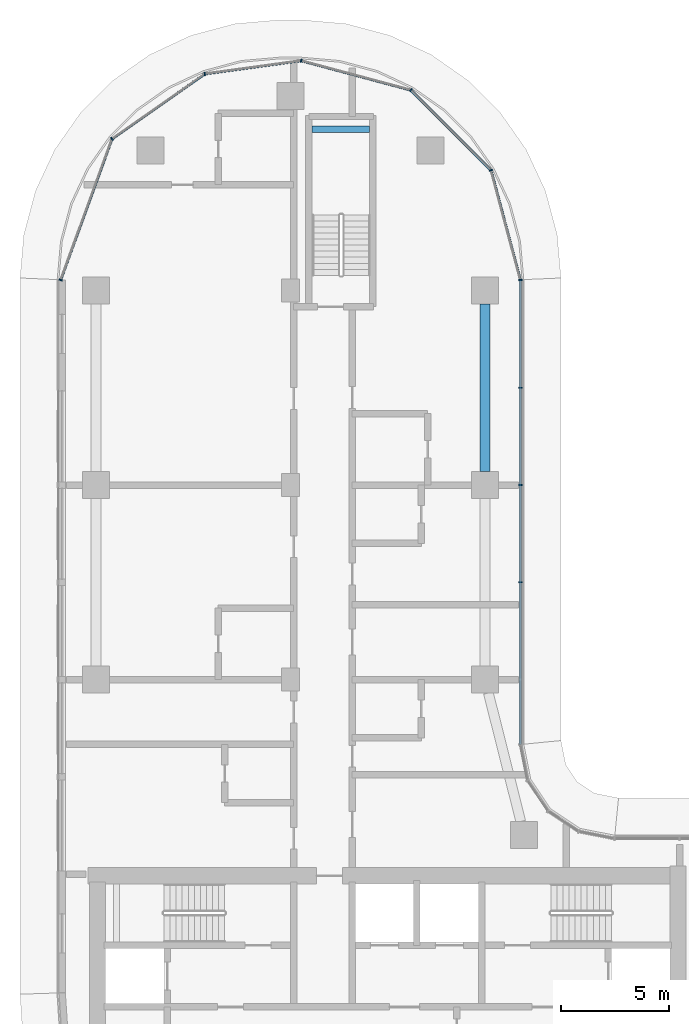
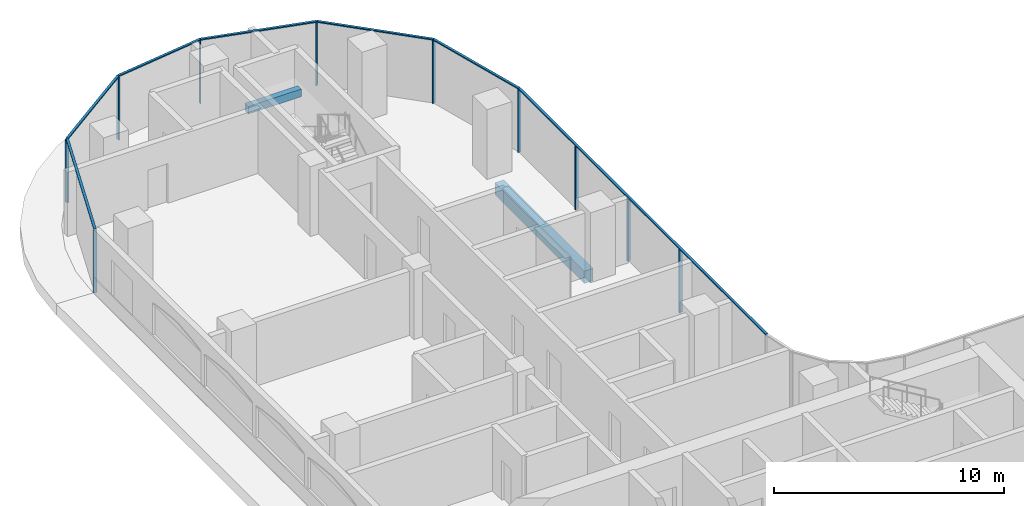
# One storey, part 6 of 25: 17 members, 2 beams, 2 elements without a shape of their own.
"""IFC4 building model written with IfcOpenShell, lengths in metres."""

from ifc_helpers import new_model, si_unit, direction, frame, origin, origin_2d, place, context, subcontext, project, spatial, rectangle, extrude, material, material_profile, profile_set, type_object, element, aggregate, save


model = new_model("IFC4")

# Units and contexts
model_context = context("Model", 3, precision=1e-05, world=origin(), true_north=direction((0.0, 1.0)))
body_context = subcontext(model_context, "Body", "Model", "MODEL_VIEW")
ifc_project = project(units=[si_unit("LENGTHUNIT", "METRE"), si_unit("AREAUNIT", "SQUARE_METRE"), si_unit("VOLUMEUNIT", "CUBIC_METRE"), si_unit("PLANEANGLEUNIT", "RADIAN"), si_unit("MASSUNIT", "GRAM", prefix="KILO")], contexts=[model_context])

# Site, building, storey
site_placement = place(None, origin())
site = spatial("IfcSite", under=ifc_project, at=site_placement, CompositionType="ELEMENT")
building_placement = place(site_placement, origin())
building = spatial("IfcBuilding", under=site, at=building_placement, Name="Ogive Portal Towers", CompositionType="ELEMENT")
storey_placement = place(building_placement, frame((0.0, 0.0, 124.10009765625)))
storey = spatial("IfcBuildingStorey", under=building, at=storey_placement, Name="L30", CompositionType="ELEMENT", Elevation=124.10009765625)

# Beam
ifc_material_1 = material(Name="Concrete C40/50", Category="concrete")
ifc_material_profile_1 = material_profile(ifc_material_1, rectangle(XDim=0.300048828125, YDim=0.39990234375, at=origin_2d()), Name="RC 300x400")
ifc_profile_set_1 = profile_set([ifc_material_profile_1], Name="Concrete C40/50")
beam_type_1 = type_object("IfcBeamType", Name="BEAM RC 300x400", PredefinedType="BEAM", material=ifc_profile_set_1)
beam_1_placement = place(storey_placement, frame((41.5, 73.949951171875, 1.449951171875), z_axis=(1.0, 0.0, 0.0), x_axis=(0.0, 1.0, 0.0)))
element("IfcBeam", 1, at=beam_1_placement, inside=storey, type_object=beam_type_1, Name="Landing beam L30", PredefinedType="BEAM", context=body_context, shape_type="SweptSolid", body=[
    extrude(rectangle(XDim=0.300048828125, YDim=0.39990234375, at=origin_2d()), origin(), (0.0, 0.0, 1.0), 2.64990234375),
])

# Curtain wall, members
ifc_material_2 = material(Name="Glass, clear low-iron insulated glazing", Category="glass")
curtain_wall_type = type_object("IfcCurtainWallType", Name="CW FRONT RIBBON 4500", PredefinedType="NOTDEFINED", material=ifc_material_2)
curtain_wall_1_placement = place(storey_placement, origin())
curtain_wall_1 = element("IfcCurtainWall", 2, at=curtain_wall_1_placement, inside=storey, type_object=curtain_wall_type, Name="A:L30:f18:cw0", PredefinedType="NOTDEFINED")
ifc_material_3 = material(Name="Aluminium 6063 anodised", Category="aluminium")
ifc_material_profile_2 = material_profile(ifc_material_3, rectangle(XDim=0.159912109375, YDim=0.06005859375, at=origin_2d()), Name="AL 60x160")
ifc_profile_set_2 = profile_set([ifc_material_profile_2], Name="Aluminium 6063 anodised")
member_type_1 = type_object("IfcMemberType", Name="CW MULLION 60x160", PredefinedType="MULLION", material=ifc_profile_set_2)
member_1_placement = place(storey_placement, frame((51.135009765625, 53.0, 0.0), z_axis=(0.0, 0.0, 1.0), x_axis=(-1.0, 0.0, 0.0)))
member_1 = element("IfcMember", 3, at=member_1_placement, type_object=member_type_1, Name="mullion", PredefinedType="MULLION", context=body_context, shape_type="SweptSolid", body=[
    extrude(rectangle(XDim=0.159912109375, YDim=0.06005859375, at=origin_2d()), origin(), (0.0, 0.0, 1.0), 3.33984375),
])
member_2_placement = place(storey_placement, frame((51.135009765625, 57.5, 0.0), z_axis=(0.0, 0.0, 1.0), x_axis=(-1.0, 0.0, 0.0)))
member_2 = element("IfcMember", 4, at=member_2_placement, type_object=member_type_1, Name="mullion", PredefinedType="MULLION", context=body_context, shape_type="SweptSolid", body=[
    extrude(rectangle(XDim=0.159912109375, YDim=0.06005859375, at=origin_2d()), origin(), (0.0, 0.0, 1.0), 3.33984375),
])
member_3_placement = place(storey_placement, frame((51.135009765625, 62.0, 0.0), z_axis=(0.0, 0.0, 1.0), x_axis=(-1.0, 0.0, 0.0)))
member_3 = element("IfcMember", 5, at=member_3_placement, type_object=member_type_1, Name="mullion", PredefinedType="MULLION", context=body_context, shape_type="SweptSolid", body=[
    extrude(rectangle(XDim=0.159912109375, YDim=0.06005859375, at=origin_2d()), origin(), (0.0, 0.0, 1.0), 3.33984375),
])
member_4_placement = place(storey_placement, frame((51.135009765625, 66.989501953125, 0.0), z_axis=(0.0, 0.0, 1.0), x_axis=(-1.0, 0.0, 0.0)))
member_4 = element("IfcMember", 6, at=member_4_placement, type_object=member_type_1, Name="mullion", PredefinedType="MULLION", context=body_context, shape_type="SweptSolid", body=[
    extrude(rectangle(XDim=0.159912109375, YDim=0.06005859375, at=origin_2d()), origin(), (0.0, 0.0, 1.0), 3.33984375),
])

curtain_wall_2_placement = place(storey_placement, origin())
curtain_wall_2 = element("IfcCurtainWall", 7, at=curtain_wall_2_placement, inside=storey, type_object=curtain_wall_type, Name="A:L30:f19:cwa", PredefinedType="NOTDEFINED")
member_5_placement = place(storey_placement, frame((49.774658203125, 72.066162109375, 0.0), z_axis=(0.0, 0.0, 1.0), x_axis=(-0.965925826289, -0.258819045103, 0.0)))
member_5 = element("IfcMember", 8, at=member_5_placement, type_object=member_type_1, Name="mullion", PredefinedType="MULLION", context=body_context, shape_type="SweptSolid", body=[
    extrude(rectangle(XDim=0.159912109375, YDim=0.06005859375, at=origin_2d()), origin(), (0.0, 0.0, 1.0), 3.33984375),
])
member_6_placement = place(storey_placement, frame((46.066162109375, 75.774658203125, 0.0), z_axis=(0.0, 0.0, 1.0), x_axis=(-0.707106781187, -0.707106781187, 0.0)))
member_6 = element("IfcMember", 9, at=member_6_placement, type_object=member_type_1, Name="mullion", PredefinedType="MULLION", context=body_context, shape_type="SweptSolid", body=[
    extrude(rectangle(XDim=0.159912109375, YDim=0.06005859375, at=origin_2d()), origin(), (0.0, 0.0, 1.0), 3.33984375),
])
member_7_placement = place(storey_placement, frame((40.994873046875, 77.133544921875, 0.0), z_axis=(0.0, 0.0, 1.0), x_axis=(-0.258819045103, -0.965925826289, 0.0)))
member_7 = element("IfcMember", 10, at=member_7_placement, type_object=member_type_1, Name="mullion", PredefinedType="MULLION", context=body_context, shape_type="SweptSolid", body=[
    extrude(rectangle(XDim=0.159912109375, YDim=0.06005859375, at=origin_2d()), origin(), (0.0, 0.0, 1.0), 3.33984375),
])
member_8_placement = place(storey_placement, frame((36.536376953125, 76.522216796875, 0.0), z_axis=(0.0, 0.0, 1.0), x_axis=(0.135818290186, -0.990733764465, 0.0)))
member_8 = element("IfcMember", 11, at=member_8_placement, type_object=member_type_1, Name="mullion", PredefinedType="MULLION", context=body_context, shape_type="SweptSolid", body=[
    extrude(rectangle(XDim=0.159912109375, YDim=0.06005859375, at=origin_2d()), origin(), (0.0, 0.0, 1.0), 3.33984375),
])
member_9_placement = place(storey_placement, frame((32.241455078125, 73.514892578125, 0.0), z_axis=(0.0, 0.0, 1.0), x_axis=(0.573576436351, -0.819152044289, 0.0)))
member_9 = element("IfcMember", 12, at=member_9_placement, type_object=member_type_1, Name="mullion", PredefinedType="MULLION", context=body_context, shape_type="SweptSolid", body=[
    extrude(rectangle(XDim=0.159912109375, YDim=0.06005859375, at=origin_2d()), origin(), (0.0, 0.0, 1.0), 3.33984375),
])
member_10_placement = place(storey_placement, frame((29.864990234375, 66.98583984375, 0.0), z_axis=(0.0, 0.0, 1.0), x_axis=(0.939692620786, -0.342020143326, 0.0)))
member_10 = element("IfcMember", 13, at=member_10_placement, type_object=member_type_1, Name="mullion", PredefinedType="MULLION", context=body_context, shape_type="SweptSolid", body=[
    extrude(rectangle(XDim=0.159912109375, YDim=0.06005859375, at=origin_2d()), origin(), (0.0, 0.0, 1.0), 3.33984375),
])

# Member
ifc_material_profile_3 = material_profile(ifc_material_3, rectangle(XDim=0.1201171875, YDim=0.06005859375, at=origin_2d()), Name="AL 120x60")
ifc_profile_set_3 = profile_set([ifc_material_profile_3], Name="Aluminium 6063 anodised")
member_type_2 = type_object("IfcMemberType", Name="CW TRANSOM 60x120", PredefinedType="USERDEFINED", material=ifc_profile_set_3)
member_11_placement = place(storey_placement, frame((51.135009765625, 45.4921875, 3.369873046875), z_axis=(0.0, 1.0, 0.0), x_axis=(-1.0, 0.0, 0.0)))
member_11 = element("IfcMember", 14, at=member_11_placement, type_object=member_type_2, Name="transom", ObjectType="TRANSOM", PredefinedType="USERDEFINED", context=body_context, shape_type="SweptSolid", body=[
    extrude(rectangle(XDim=0.1201171875, YDim=0.06005859375, at=origin_2d()), origin(), (0.0, 0.0, 1.0), 21.497314453125),
])

aggregate(curtain_wall_1, [member_11, member_1, member_2, member_3, member_4])

member_12_placement = place(storey_placement, frame((51.135009765625, 66.989501953125, 3.369873046875), z_axis=(-0.258830508272, 0.965922754669, 0.0), x_axis=(-0.965922754669, -0.258830508272, 0.0)))
member_12 = element("IfcMember", 15, at=member_12_placement, type_object=member_type_2, Name="transom", ObjectType="TRANSOM", PredefinedType="USERDEFINED", context=body_context, shape_type="SweptSolid", body=[
    extrude(rectangle(XDim=0.1201171875, YDim=0.06005859375, at=origin_2d()), origin(), (0.0, 0.0, 1.0), 5.255859375),
])

member_13_placement = place(storey_placement, frame((49.774658203125, 72.066162109375, 3.369873046875), z_axis=(-0.707106781187, 0.707106781187, 0.0), x_axis=(-0.707106781187, -0.707106781187, 0.0)))
member_13 = element("IfcMember", 16, at=member_13_placement, type_object=member_type_2, Name="transom", ObjectType="TRANSOM", PredefinedType="USERDEFINED", context=body_context, shape_type="SweptSolid", body=[
    extrude(rectangle(XDim=0.1201171875, YDim=0.06005859375, at=origin_2d()), origin(), (0.0, 0.0, 1.0), 5.24462890625),
])

member_14_placement = place(storey_placement, frame((46.066162109375, 75.774658203125, 3.369873046875), z_axis=(-0.965923973482, 0.258825959773, 0.0), x_axis=(-0.258825959773, -0.965923973482, 0.0)))
member_14 = element("IfcMember", 17, at=member_14_placement, type_object=member_type_2, Name="transom", ObjectType="TRANSOM", PredefinedType="USERDEFINED", context=body_context, shape_type="SweptSolid", body=[
    extrude(rectangle(XDim=0.1201171875, YDim=0.06005859375, at=origin_2d()), origin(), (0.0, 0.0, 1.0), 5.250244140625),
])

member_15_placement = place(storey_placement, frame((40.994873046875, 77.133544921875, 3.369873046875), z_axis=(-0.990730199866, -0.135844289808, 0.0), x_axis=(0.135844289808, -0.990730199866, 0.0)))
member_15 = element("IfcMember", 18, at=member_15_placement, type_object=member_type_2, Name="transom", ObjectType="TRANSOM", PredefinedType="USERDEFINED", context=body_context, shape_type="SweptSolid", body=[
    extrude(rectangle(XDim=0.1201171875, YDim=0.06005859375, at=origin_2d()), origin(), (0.0, 0.0, 1.0), 4.500244140625),
])

member_16_placement = place(storey_placement, frame((36.536376953125, 76.522216796875, 3.369873046875), z_axis=(-0.819153160327, -0.57357484248, 0.0), x_axis=(0.57357484248, -0.819153160327, 0.0)))
member_16 = element("IfcMember", 19, at=member_16_placement, type_object=member_type_2, Name="transom", ObjectType="TRANSOM", PredefinedType="USERDEFINED", context=body_context, shape_type="SweptSolid", body=[
    extrude(rectangle(XDim=0.1201171875, YDim=0.06005859375, at=origin_2d()), origin(), (0.0, 0.0, 1.0), 5.2431640625),
])

member_17_placement = place(storey_placement, frame((32.241455078125, 73.514892578125, 3.369873046875), z_axis=(-0.342030817509, -0.939688735632, 0.0), x_axis=(0.939688735632, -0.342030817509, 0.0)))
member_17 = element("IfcMember", 20, at=member_17_placement, type_object=member_type_2, Name="transom", ObjectType="TRANSOM", PredefinedType="USERDEFINED", context=body_context, shape_type="SweptSolid", body=[
    extrude(rectangle(XDim=0.1201171875, YDim=0.06005859375, at=origin_2d()), origin(), (0.0, 0.0, 1.0), 6.947998046875),
])

aggregate(curtain_wall_2, [member_12, member_13, member_14, member_15, member_16, member_17, member_5, member_6, member_7, member_8, member_9, member_10])

# Beam
ifc_material_4 = material(Name="Concrete C50/60", Category="concrete")
ifc_material_profile_4 = material_profile(ifc_material_4, rectangle(XDim=0.449951171875, YDim=0.64990234375, at=origin_2d()), Name="RC 450x650")
ifc_profile_set_4 = profile_set([ifc_material_profile_4], Name="Concrete C50/60")
beam_type_2 = type_object("IfcBeamType", Name="SPANDREL BEAM RC 450x650", PredefinedType="BEAM", material=ifc_profile_set_4)
beam_2_placement = place(storey_placement, frame((49.5, 65.875, -0.625), z_axis=(0.0, -1.0, 0.0), x_axis=(1.0, 0.0, 0.0)))
element("IfcBeam", 21, at=beam_2_placement, inside=storey, type_object=beam_type_2, Name="Spandrel beam L30", PredefinedType="BEAM", context=body_context, shape_type="SweptSolid", body=[
    extrude(rectangle(XDim=0.449951171875, YDim=0.64990234375, at=origin_2d()), origin(), (0.0, 0.0, 1.0), 7.75),
])

save(model, "model.ifc")
